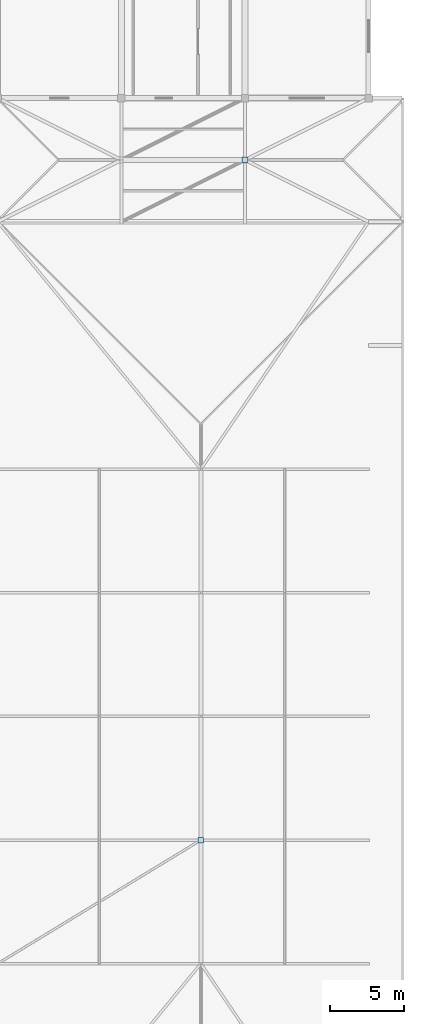
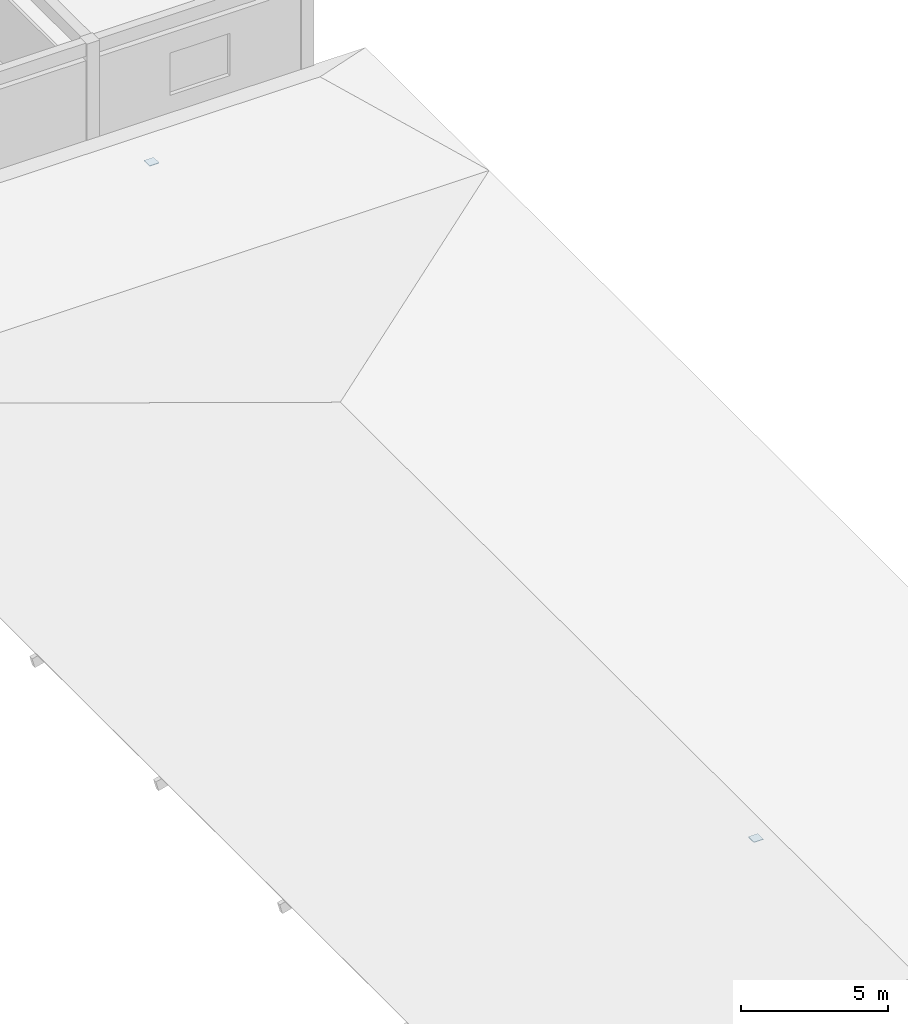
# One storey, part 9 of 26: 2 plates.
"""IFC4 building model written with IfcOpenShell, lengths in metres."""

from ifc_helpers import new_model, si_unit, direction, frame, origin, origin_2d, place, context, subcontext, project, spatial, rectangle, extrude, material, layer, layer_set, type_object, element, save


model = new_model("IFC4")

# Units and contexts
model_context = context("Model", 3, precision=1e-05, world=origin(), true_north=direction((0.0, 1.0)))
body_context = subcontext(model_context, "Body", "Model", "MODEL_VIEW")
ifc_project = project(units=[si_unit("LENGTHUNIT", "METRE"), si_unit("AREAUNIT", "SQUARE_METRE"), si_unit("VOLUMEUNIT", "CUBIC_METRE"), si_unit("PLANEANGLEUNIT", "RADIAN"), si_unit("MASSUNIT", "GRAM", prefix="KILO")], contexts=[model_context])

# Site, building, storey
site_placement = place(None, origin())
site = spatial("IfcSite", under=ifc_project, at=site_placement, CompositionType="ELEMENT")
building_placement = place(site_placement, origin())
building = spatial("IfcBuilding", under=site, at=building_placement, Name="Varncliffe General Hospital", CompositionType="ELEMENT")
storey_placement = place(building_placement, frame((0.0, 0.0, 28.800048828125)))
storey = spatial("IfcBuildingStorey", under=building, at=storey_placement, Name="L06", CompositionType="ELEMENT", Elevation=28.800048828125)

# Plates
ifc_material = material(Name="Steel S355 (CSA G40.21 350W)", Category="steel")
ifc_layer = layer(ifc_material, 0.02392578125)
ifc_layer_set = layer_set([ifc_layer], Name="Steel S355 (CSA G40.21 350W)")
plate_type = type_object("IfcPlateType", Name="Steel Gusset and End Plate GP25 (24mm)", PredefinedType="SHEET", material=ifc_layer_set)
for number, where, z_axis, x_axis, name in (
    (1, (165.0, 40.800048828125, 2.6787109375), (0.0, 0.0, 1.0), (1.0, 0.0, 0.0), "L06 RF-V5-E Lateral Brace Gusset Plate 1"),
    (2, (168.0, 87.0, 1.623779296875), (0.0, 0.0, 1.0), (1.0, 0.0, 0.0), "L06 RF-V6-SE1 Lateral Brace Gusset Plate 1"),
):
    element("IfcPlate", number, at=place(storey_placement, frame(where, z_axis=z_axis, x_axis=x_axis)), inside=storey, type_object=plate_type, Name=name, PredefinedType="SHEET", context=body_context, shape_type="SweptSolid", body=[
        extrude(rectangle(XDim=0.3798828125, YDim=0.3798828125, at=origin_2d()), origin(), (0.0, 0.0, 1.0), 0.02392578125),
    ])

save(model, "model.ifc")
